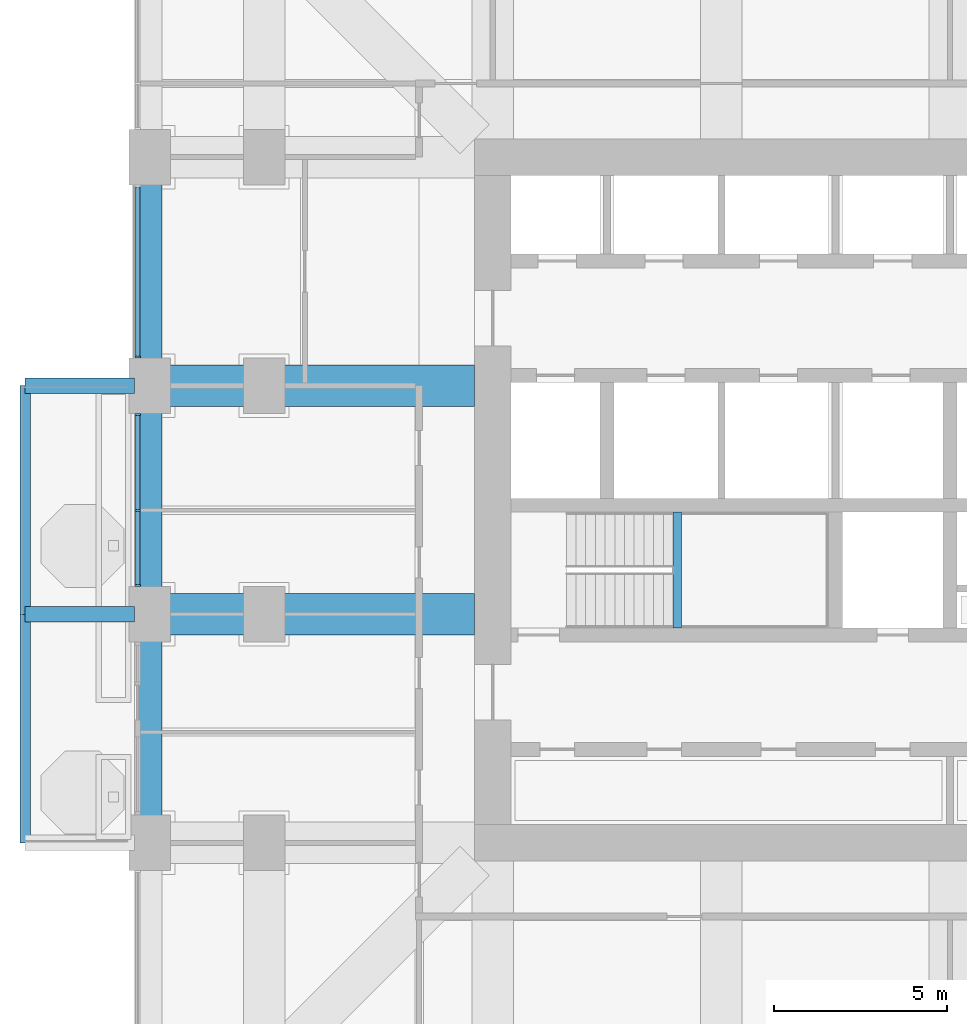
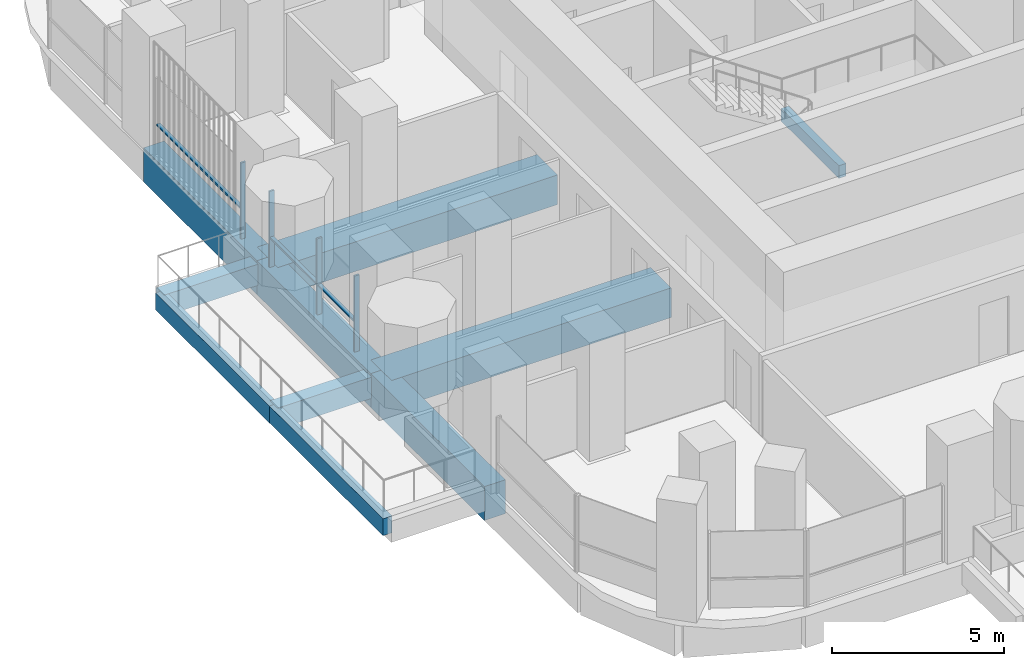
# One storey, part 4 of 20: 10 beams, 7 members, 2 elements without a shape of their own.
"""IFC4 building model written with IfcOpenShell, lengths in metres."""

from ifc_helpers import new_model, si_unit, direction, frame, origin, origin_2d, place, context, subcontext, project, spatial, rectangle, extrude, material, material_profile, profile_set, type_object, element, aggregate, save


model = new_model("IFC4")

# Units and contexts
model_context = context("Model", 3, precision=1e-05, world=origin(), true_north=direction((0.0, 1.0)))
body_context = subcontext(model_context, "Body", "Model", "MODEL_VIEW")
ifc_project = project(units=[si_unit("LENGTHUNIT", "METRE"), si_unit("AREAUNIT", "SQUARE_METRE"), si_unit("VOLUMEUNIT", "CUBIC_METRE"), si_unit("PLANEANGLEUNIT", "RADIAN"), si_unit("MASSUNIT", "GRAM", prefix="KILO")], contexts=[model_context])

# Site, building, storey
site_placement = place(None, origin())
site = spatial("IfcSite", under=ifc_project, at=site_placement, CompositionType="ELEMENT")
building_placement = place(site_placement, origin())
building = spatial("IfcBuilding", under=site, at=building_placement, Name="Cobogo Forest Laboratory Tower", CompositionType="ELEMENT")
storey_placement = place(building_placement, frame((0.0, 0.0, 168.300048828125)))
storey = spatial("IfcBuildingStorey", under=building, at=storey_placement, Name="L38", CompositionType="ELEMENT", Elevation=168.300048828125)

# Beams
ifc_material_1 = material(Name="Concrete HA-40 (C40/50)", Category="concrete")
ifc_material_profile_1 = material_profile(ifc_material_1, rectangle(XDim=0.449951171875, YDim=0.75, at=origin_2d()), Name="RC 450x750")
ifc_profile_set_1 = profile_set([ifc_material_profile_1], Name="Concrete HA-40 (C40/50)")
beam_type_1 = type_object("IfcBeamType", Name="Balcony cantilever beam 450x750", PredefinedType="BEAM", material=ifc_profile_set_1)
for number, where, z_axis, x_axis, name in (
    (1, (2.85009765625, 19.800048828125, -0.625), (-1.0, 0.0, 0.0), (0.0, -1.0, 0.0), "CB1 BAL-W1-C2 L38"),
    (2, (2.85009765625, 26.39990234375, -0.625), (-1.0, 0.0, 0.0), (0.0, -1.0, 0.0), "CB1 BAL-W1-C3 L38"),
):
    element("IfcBeam", number, at=place(storey_placement, frame(where, z_axis=z_axis, x_axis=x_axis)), inside=storey, type_object=beam_type_1, Name=name, PredefinedType="BEAM", context=body_context, shape_type="SweptSolid", body=[
        extrude(rectangle(XDim=0.449951171875, YDim=0.75, at=origin_2d()), origin(), (0.0, 0.0, 1.0), 3.150146484375),
    ])
ifc_material_profile_2 = material_profile(ifc_material_1, rectangle(XDim=0.300048828125, YDim=0.60009765625, at=origin_2d()), Name="RC 300x600")
ifc_profile_set_2 = profile_set([ifc_material_profile_2], Name="Concrete HA-40 (C40/50)")
beam_type_2 = type_object("IfcBeamType", Name="Balcony edge beam 300x600", PredefinedType="BEAM", material=ifc_profile_set_2)
beam_1_placement = place(storey_placement, frame((-0.300048828125, 13.199951171875, -0.550048828125), z_axis=(0.0, 1.0, 0.0), x_axis=(-1.0, 0.0, 0.0)))
element("IfcBeam", 3, at=beam_1_placement, inside=storey, type_object=beam_type_2, Name="BB1 BAL-W1-T1 L38", PredefinedType="BEAM", context=body_context, shape_type="SweptSolid", body=[
    extrude(rectangle(XDim=0.300048828125, YDim=0.60009765625, at=origin_2d()), origin(), (0.0, 0.0, 1.0), 6.60009765625),
])
beam_2_placement = place(storey_placement, frame((-0.300048828125, 19.800048828125, -0.550048828125), z_axis=(0.0, 1.0, 0.0), x_axis=(-1.0, 0.0, 0.0)))
element("IfcBeam", 4, at=beam_2_placement, inside=storey, type_object=beam_type_2, Name="BB1 BAL-W1-T2 L38", PredefinedType="BEAM", context=body_context, shape_type="SweptSolid", body=[
    extrude(rectangle(XDim=0.300048828125, YDim=0.60009765625, at=origin_2d()), origin(), (0.0, 0.0, 1.0), 6.599853515625),
])
ifc_material_profile_3 = material_profile(ifc_material_1, rectangle(XDim=0.25, YDim=0.449951171875, at=origin_2d()), Name="RC 250x450")
ifc_profile_set_3 = profile_set([ifc_material_profile_3], Name="Concrete HA-40 (C40/50)")
beam_type_3 = type_object("IfcBeamType", Name="LB1 landing beam 250x450", PredefinedType="BEAM", material=ifc_profile_set_3)
beam_3_placement = place(storey_placement, frame((18.530029296875, 19.39990234375, 1.675048828125), z_axis=(0.0, 1.0, 0.0), x_axis=(-1.0, 0.0, 0.0)))
element("IfcBeam", 5, at=beam_3_placement, inside=storey, type_object=beam_type_3, Name="Landing beam ST1 L38", PredefinedType="BEAM", context=body_context, shape_type="SweptSolid", body=[
    extrude(rectangle(XDim=0.25, YDim=0.449951171875, at=origin_2d()), origin(), (0.0, 0.0, 1.0), 3.35009765625),
])
ifc_material_profile_4 = material_profile(ifc_material_1, rectangle(XDim=1.199951171875, YDim=1.050048828125, at=origin_2d()), Name="RC 1200x1050")
ifc_profile_set_4 = profile_set([ifc_material_profile_4], Name="Concrete HA-40 (C40/50)")
beam_type_4 = type_object("IfcBeamType", Name="Laboratory floor wide beam 1200x1050", PredefinedType="BEAM", material=ifc_profile_set_4)
for number, where, z_axis, x_axis, name in (
    (6, (12.675048828125, 19.800048828125, -0.824951171875), (-1.0, 0.0, 0.0), (0.0, -1.0, 0.0), "RB1 R-D-W L38"),
    (7, (12.675048828125, 26.39990234375, -0.824951171875), (-1.0, 0.0, 0.0), (0.0, -1.0, 0.0), "RB1 R-E-W L38"),
):
    element("IfcBeam", number, at=place(storey_placement, frame(where, z_axis=z_axis, x_axis=x_axis)), inside=storey, type_object=beam_type_4, Name=name, PredefinedType="BEAM", context=body_context, shape_type="SweptSolid", body=[
        extrude(rectangle(XDim=1.199951171875, YDim=1.050048828125, at=origin_2d()), origin(), (0.0, 0.0, 1.0), 9.375),
    ])

# Curtain wall, member
ifc_material_2 = material(Name="Aluminium curtain wall", Category="aluminium")
curtain_wall_type = type_object("IfcCurtainWallType", Name="CW-2 unitised curtain wall, solar control glazing, laboratory floors zones C and D", PredefinedType="USERDEFINED", material=ifc_material_2)
curtain_wall_1_placement = place(storey_placement, origin())
curtain_wall_1 = element("IfcCurtainWall", 8, at=curtain_wall_1_placement, inside=storey, type_object=curtain_wall_type, Name="Curtain wall 25 L38", ObjectType="UNITISED CURTAIN WALL", PredefinedType="USERDEFINED")
ifc_material_3 = material(Name="Aluminium mullion", Category="aluminium")
ifc_material_profile_5 = material_profile(ifc_material_3, rectangle(XDim=0.06005859375, YDim=0.159912109375, at=origin_2d()), Name="AL 60x160")
ifc_profile_set_5 = profile_set([ifc_material_profile_5], Name="Aluminium mullion")
member_type_1 = type_object("IfcMemberType", Name="MU-1 aluminium mullion 60x160", PredefinedType="MULLION", material=ifc_profile_set_5)
member_1_placement = place(storey_placement, frame((2.949951171875, 27.22998046875, 0.0), z_axis=(0.0, 0.0, 1.0), x_axis=(0.0, -1.0, 0.0)))
member_1 = element("IfcMember", 9, at=member_1_placement, type_object=member_type_1, Name="CW-2 mullion 2", PredefinedType="MULLION", context=body_context, shape_type="SweptSolid", body=[
    extrude(rectangle(XDim=0.06005859375, YDim=0.159912109375, at=origin_2d()), origin(), (0.0, 0.0, 1.0), 2.699951171875),
])

# Curtain wall, members
curtain_wall_2_placement = place(storey_placement, origin())
curtain_wall_2 = element("IfcCurtainWall", 10, at=curtain_wall_2_placement, inside=storey, type_object=curtain_wall_type, Name="Curtain wall 26 L38", ObjectType="UNITISED CURTAIN WALL", PredefinedType="USERDEFINED")
member_2_placement = place(storey_placement, frame((2.949951171875, 25.570068359375, 0.0), z_axis=(0.0, 0.0, 1.0), x_axis=(0.0, -1.0, 0.0)))
member_2 = element("IfcMember", 11, at=member_2_placement, type_object=member_type_1, Name="CW-2 mullion 1", PredefinedType="MULLION", context=body_context, shape_type="SweptSolid", body=[
    extrude(rectangle(XDim=0.06005859375, YDim=0.159912109375, at=origin_2d()), origin(), (0.0, 0.0, 1.0), 2.699951171875),
])
member_3_placement = place(storey_placement, frame((2.949951171875, 22.800048828125, 0.0), z_axis=(0.0, 0.0, 1.0), x_axis=(0.0, -1.0, 0.0)))
member_3 = element("IfcMember", 12, at=member_3_placement, type_object=member_type_1, Name="CW-2 mullion 2", PredefinedType="MULLION", context=body_context, shape_type="SweptSolid", body=[
    extrude(rectangle(XDim=0.06005859375, YDim=0.159912109375, at=origin_2d()), origin(), (0.0, 0.0, 1.0), 2.699951171875),
])
member_4_placement = place(storey_placement, frame((2.949951171875, 20.6298828125, 0.0), z_axis=(0.0, 0.0, 1.0), x_axis=(0.0, -1.0, 0.0)))
member_4 = element("IfcMember", 13, at=member_4_placement, type_object=member_type_1, Name="CW-2 mullion 3", PredefinedType="MULLION", context=body_context, shape_type="SweptSolid", body=[
    extrude(rectangle(XDim=0.06005859375, YDim=0.159912109375, at=origin_2d()), origin(), (0.0, 0.0, 1.0), 2.699951171875),
])

# Beams
ifc_material_profile_6 = material_profile(ifc_material_1, rectangle(XDim=0.699951171875, YDim=1.199951171875, at=origin_2d()), Name="RC 700x1200")
ifc_profile_set_6 = profile_set([ifc_material_profile_6], Name="Concrete HA-40 (C40/50)")
beam_type_5 = type_object("IfcBeamType", Name="Perimeter edge beam 700x1200", PredefinedType="BEAM", material=ifc_profile_set_6)
beam_4_placement = place(storey_placement, frame((3.300048828125, 13.199951171875, -0.900146484375), z_axis=(0.0, 1.0, 0.0), x_axis=(-1.0, 0.0, 0.0)))
element("IfcBeam", 14, at=beam_4_placement, inside=storey, type_object=beam_type_5, Name="EB1 E-W1 L38", PredefinedType="BEAM", context=body_context, shape_type="SweptSolid", body=[
    extrude(rectangle(XDim=0.699951171875, YDim=1.199951171875, at=origin_2d()), origin(), (0.0, 0.0, 1.0), 6.60009765625),
])
beam_5_placement = place(storey_placement, frame((3.300048828125, 19.800048828125, -0.900146484375), z_axis=(0.0, 1.0, 0.0), x_axis=(-1.0, 0.0, 0.0)))
element("IfcBeam", 15, at=beam_5_placement, inside=storey, type_object=beam_type_5, Name="EB1 E-W2 L38", PredefinedType="BEAM", context=body_context, shape_type="SweptSolid", body=[
    extrude(rectangle(XDim=0.699951171875, YDim=1.199951171875, at=origin_2d()), origin(), (0.0, 0.0, 1.0), 6.599853515625),
])
beam_6_placement = place(storey_placement, frame((3.300048828125, 26.39990234375, -0.900146484375), z_axis=(0.0, 1.0, 0.0), x_axis=(-1.0, 0.0, 0.0)))
element("IfcBeam", 16, at=beam_6_placement, inside=storey, type_object=beam_type_5, Name="EB1 E-W3 L38", PredefinedType="BEAM", context=body_context, shape_type="SweptSolid", body=[
    extrude(rectangle(XDim=0.699951171875, YDim=1.199951171875, at=origin_2d()), origin(), (0.0, 0.0, 1.0), 6.60009765625),
])

# Member
ifc_material_4 = material(Name="Aluminium transom", Category="aluminium")
ifc_material_profile_7 = material_profile(ifc_material_4, rectangle(XDim=0.1201171875, YDim=0.06005859375, at=origin_2d()), Name="AL 60x120")
ifc_profile_set_7 = profile_set([ifc_material_profile_7], Name="Aluminium transom")
member_type_2 = type_object("IfcMemberType", Name="TR-1 aluminium transom 60x120", PredefinedType="USERDEFINED", material=ifc_profile_set_7)
member_5_placement = place(storey_placement, frame((2.949951171875, 32.139892578125, 1.050048828125), z_axis=(0.0, -1.0, 0.0), x_axis=(1.0, 0.0, 0.0)))
member_5 = element("IfcMember", 17, at=member_5_placement, type_object=member_type_2, Name="CW-2 transom 1.1", ObjectType="TRANSOM", PredefinedType="USERDEFINED", context=body_context, shape_type="SweptSolid", body=[
    extrude(rectangle(XDim=0.1201171875, YDim=0.06005859375, at=origin_2d()), origin(), (0.0, 0.0, 1.0), 4.8798828125),
])

aggregate(curtain_wall_1, [member_1, member_5])

member_6_placement = place(storey_placement, frame((2.949951171875, 25.5400390625, 1.050048828125), z_axis=(0.0, -1.0, 0.0), x_axis=(1.0, 0.0, 0.0)))
member_6 = element("IfcMember", 18, at=member_6_placement, type_object=member_type_2, Name="CW-2 transom 1.1", ObjectType="TRANSOM", PredefinedType="USERDEFINED", context=body_context, shape_type="SweptSolid", body=[
    extrude(rectangle(XDim=0.1201171875, YDim=0.06005859375, at=origin_2d()), origin(), (0.0, 0.0, 1.0), 2.7099609375),
])

member_7_placement = place(storey_placement, frame((2.949951171875, 22.77001953125, 1.050048828125), z_axis=(0.0, -1.0, 0.0), x_axis=(1.0, 0.0, 0.0)))
member_7 = element("IfcMember", 19, at=member_7_placement, type_object=member_type_2, Name="CW-2 transom 2.1", ObjectType="TRANSOM", PredefinedType="USERDEFINED", context=body_context, shape_type="SweptSolid", body=[
    extrude(rectangle(XDim=0.1201171875, YDim=0.06005859375, at=origin_2d()), origin(), (0.0, 0.0, 1.0), 2.110107421875),
])

aggregate(curtain_wall_2, [member_2, member_3, member_4, member_6, member_7])

save(model, "model.ifc")
